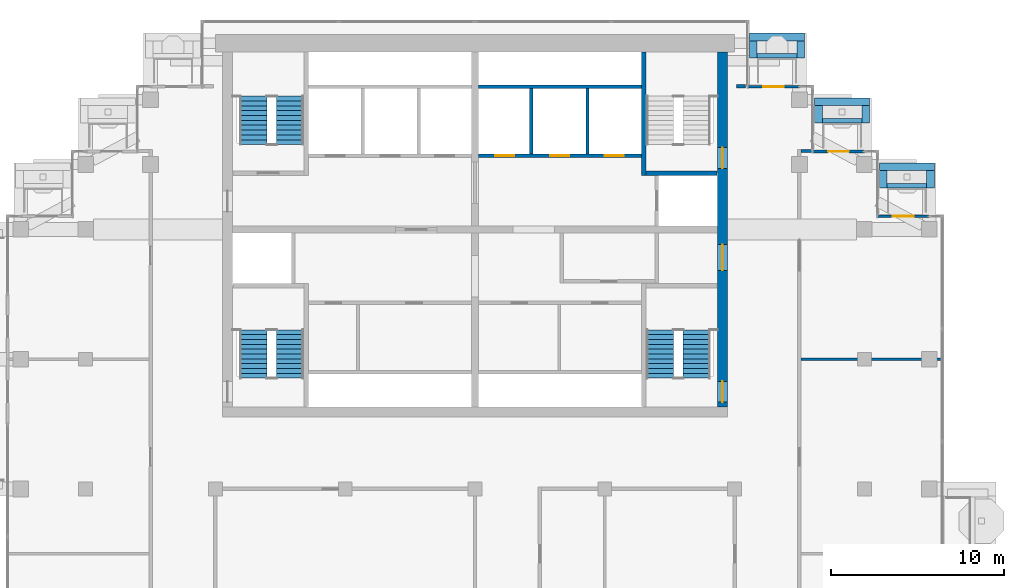
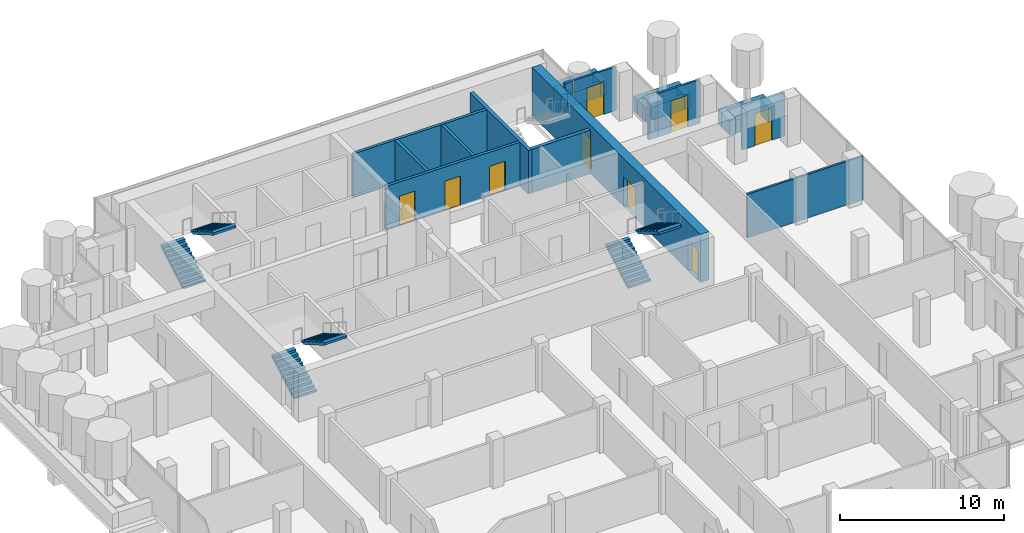
# One storey, part 14 of 18: 25 walls, 9 doors, 6 stair flights, 9 openings, 3 elements without a shape of their own.
"""IFC4 building model written with IfcOpenShell, lengths in metres."""

from ifc_helpers import new_model, si_unit, direction, frame, frame_2d, origin, place, context, subcontext, project, spatial, polyline, rectangle, outline, extrude, material, layer, layer_set, type_object, element, fill, aggregate, save


model = new_model("IFC4")

# Units and contexts
model_context = context("Model", 3, precision=1e-05, world=origin(), true_north=direction((0.0, 1.0)))
body_context = subcontext(model_context, "Body", "Model", "MODEL_VIEW")
ifc_project = project(units=[si_unit("LENGTHUNIT", "METRE"), si_unit("AREAUNIT", "SQUARE_METRE"), si_unit("VOLUMEUNIT", "CUBIC_METRE"), si_unit("PLANEANGLEUNIT", "RADIAN"), si_unit("MASSUNIT", "GRAM", prefix="KILO")], contexts=[model_context])

# Site, building, storey
site_placement = place(None, origin())
site = spatial("IfcSite", under=ifc_project, at=site_placement, CompositionType="ELEMENT")
building_placement = place(site_placement, origin())
building = spatial("IfcBuilding", under=site, at=building_placement, Name="Pilkhan Gate Tower", CompositionType="ELEMENT")
storey_placement = place(building_placement, frame((0.0, 0.0, 249.89990234375)))
storey = spatial("IfcBuildingStorey", under=building, at=storey_placement, Name="L65", CompositionType="ELEMENT", Elevation=249.89990234375)

# Walls
ifc_material_1 = material(Name="Concrete C40/50", Category="concrete")
ifc_layer_1 = layer(ifc_material_1, 0.25)
ifc_layer_set_1 = layer_set([ifc_layer_1], Name="Balcony planter BP250")
wall_type_1 = type_object("IfcWallType", Name="Balcony planter BP250", PredefinedType="USERDEFINED", material=ifc_layer_set_1)
wall_1_placement = place(storey_placement, frame((91.300048828125, 92.52490234375, 0.0), z_axis=(0.0, 0.0, 1.0), x_axis=(1.0, 0.0, 0.0)))
element("IfcWall", 1, at=wall_1_placement, inside=storey, type_object=wall_type_1, Name="Balcony planter L65 N", ObjectType="BALCONY PLANTER", PredefinedType="USERDEFINED", context=body_context, shape_type="SweptSolid", body=[
    extrude(rectangle(XDim=2.300048828125, YDim=0.25, at=frame_2d((1.14990234375, 0.0))), origin(), (0.0, 0.0, 1.0), 1.0),
])
for number, where, z_axis, x_axis, name in (
    (2, (95.070068359375, 88.77490234375, 0.0), (0.0, 0.0, 1.0), (1.0, 0.0, 0.0), "Balcony planter L65 N"),
    (3, (98.820068359375, 85.02490234375, 0.0), (0.0, 0.0, 1.0), (1.0, 0.0, 0.0), "Balcony planter L65 N"),
):
    element("IfcWall", number, at=place(storey_placement, frame(where, z_axis=z_axis, x_axis=x_axis)), inside=storey, type_object=wall_type_1, Name=name, ObjectType="BALCONY PLANTER", PredefinedType="USERDEFINED", context=body_context, shape_type="SweptSolid", body=[
        extrude(rectangle(XDim=2.280029296875, YDim=0.25, at=frame_2d((1.14013671875, 0.0))), origin(), (0.0, 0.0, 1.0), 1.0),
    ])
ifc_material_2 = material(Name="Board-marked Concrete C40/50", Category="concrete")
ifc_layer_2 = layer(ifc_material_2, 0.449951171875)
ifc_layer_set_2 = layer_set([ifc_layer_2], Name="Balcony planter lip BL450")
wall_type_2 = type_object("IfcWallType", Name="Balcony planter lip BL450", PredefinedType="USERDEFINED", material=ifc_layer_set_2)
wall_2_placement = place(storey_placement, frame((90.85009765625, 93.625, 0.0), z_axis=(0.0, 0.0, 1.0), x_axis=(1.0, 0.0, 0.0)))
element("IfcWall", 4, at=wall_2_placement, inside=storey, type_object=wall_type_2, Name="Balcony planter L65 N", ObjectType="BALCONY PLANTER", PredefinedType="USERDEFINED", context=body_context, shape_type="SweptSolid", body=[
    extrude(rectangle(XDim=3.199951171875, YDim=0.449951171875, at=frame_2d((1.60009765625, 0.0))), origin(), (0.0, 0.0, 1.0), 1.10009765625),
])
for number, where, z_axis, x_axis, name in (
    (5, (91.074951171875, 92.39990234375, 0.0), (0.0, 0.0, 1.0), (0.0, 1.0, 0.0), "Balcony planter L65 N"),
    (6, (93.824951171875, 92.39990234375, 0.0), (0.0, 0.0, 1.0), (0.0, 1.0, 0.0), "Balcony planter L65 N"),
):
    element("IfcWall", number, at=place(storey_placement, frame(where, z_axis=z_axis, x_axis=x_axis)), inside=storey, type_object=wall_type_2, Name=name, ObjectType="BALCONY PLANTER", PredefinedType="USERDEFINED", context=body_context, shape_type="SweptSolid", body=[
        extrude(rectangle(XDim=1.0, YDim=0.449951171875, at=frame_2d((0.5, 0.0))), origin(), (0.0, 0.0, 1.0), 1.10009765625),
    ])
wall_3_placement = place(storey_placement, frame((94.6201171875, 89.875, 0.0), z_axis=(0.0, 0.0, 1.0), x_axis=(1.0, 0.0, 0.0)))
element("IfcWall", 7, at=wall_3_placement, inside=storey, type_object=wall_type_2, Name="Balcony planter L65 N", ObjectType="BALCONY PLANTER", PredefinedType="USERDEFINED", context=body_context, shape_type="SweptSolid", body=[
    extrude(rectangle(XDim=3.179931640625, YDim=0.449951171875, at=frame_2d((1.58984375, 0.0))), origin(), (0.0, 0.0, 1.0), 1.10009765625),
])
for number, where, z_axis, x_axis, name in (
    (8, (94.844970703125, 88.64990234375, 0.0), (0.0, 0.0, 1.0), (0.0, 1.0, 0.0), "Balcony planter L65 N"),
    (9, (97.574951171875, 88.64990234375, 0.0), (0.0, 0.0, 1.0), (0.0, 1.0, 0.0), "Balcony planter L65 N"),
):
    element("IfcWall", number, at=place(storey_placement, frame(where, z_axis=z_axis, x_axis=x_axis)), inside=storey, type_object=wall_type_2, Name=name, ObjectType="BALCONY PLANTER", PredefinedType="USERDEFINED", context=body_context, shape_type="SweptSolid", body=[
        extrude(rectangle(XDim=1.0, YDim=0.449951171875, at=frame_2d((0.5, 0.0))), origin(), (0.0, 0.0, 1.0), 1.10009765625),
    ])
wall_4_placement = place(storey_placement, frame((98.3701171875, 86.125, 0.0), z_axis=(0.0, 0.0, 1.0), x_axis=(1.0, 0.0, 0.0)))
element("IfcWall", 10, at=wall_4_placement, inside=storey, type_object=wall_type_2, Name="Balcony planter L65 N", ObjectType="BALCONY PLANTER", PredefinedType="USERDEFINED", context=body_context, shape_type="SweptSolid", body=[
    extrude(rectangle(XDim=3.179931640625, YDim=0.449951171875, at=frame_2d((1.58984375, 0.0))), origin(), (0.0, 0.0, 1.0), 1.10009765625),
])
for number, where, z_axis, x_axis, name in (
    (11, (98.594970703125, 84.89990234375, 0.0), (0.0, 0.0, 1.0), (0.0, 1.0, 0.0), "Balcony planter L65 N"),
    (12, (101.324951171875, 84.89990234375, 0.0), (0.0, 0.0, 1.0), (0.0, 1.0, 0.0), "Balcony planter L65 N"),
):
    element("IfcWall", number, at=place(storey_placement, frame(where, z_axis=z_axis, x_axis=x_axis)), inside=storey, type_object=wall_type_2, Name=name, ObjectType="BALCONY PLANTER", PredefinedType="USERDEFINED", context=body_context, shape_type="SweptSolid", body=[
        extrude(rectangle(XDim=1.0, YDim=0.449951171875, at=frame_2d((0.5, 0.0))), origin(), (0.0, 0.0, 1.0), 1.10009765625),
    ])

# Wall, openings, doors
ifc_material_3 = material(Name="Concrete C50/60", Category="concrete")
ifc_layer_3 = layer(ifc_material_3, 0.60009765625)
ifc_layer_set_3 = layer_set([ifc_layer_3], Name="Core wall CW600 C50/60")
wall_type_3 = type_object("IfcWallType", Name="Core wall CW600 C50/60", PredefinedType="SHEAR", material=ifc_layer_set_3)
wall_5_placement = place(storey_placement, frame((89.300048828125, 72.25, 0.0), z_axis=(0.0, 0.0, 1.0), x_axis=(0.0, 1.0, 0.0)))
wall_5 = element("IfcWall", 13, at=wall_5_placement, inside=storey, type_object=wall_type_3, Name="Core wall E L65", PredefinedType="SHEAR", context=body_context, shape_type="SweptSolid", body=[
    extrude(rectangle(XDim=20.5, YDim=0.60009765625, at=frame_2d((10.25, 0.0))), origin(), (0.0, 0.0, 1.0), 3.60009765625),
])
opening_1_placement = place(wall_5_placement, frame((0.27490234375, 0.0, 0.0)))
opening_1 = element("IfcOpeningElement", 14, at=opening_1_placement, cuts=wall_5, Name="Opening L65-03", PredefinedType="OPENING", context=body_context, shape_type="SweptSolid", body=[
    extrude(rectangle(XDim=1.199951171875, YDim=2.199951171875, at=frame_2d((0.60009765625, 1.10009765625))), frame((0.0, 0.31005859375, 0.0), z_axis=(0.0, -1.0, 0.0), x_axis=(1.0, 0.0, 0.0)), (0.0, 0.0, 1.0), 0.6201171875),
])
opening_2_placement = place(wall_5_placement, frame((13.77490234375, 0.0, 0.0)))
opening_2 = element("IfcOpeningElement", 15, at=opening_2_placement, cuts=wall_5, Name="Opening L65-05", PredefinedType="OPENING", context=body_context, shape_type="SweptSolid", body=[
    extrude(rectangle(XDim=1.199951171875, YDim=2.199951171875, at=frame_2d((0.60009765625, 1.10009765625))), frame((0.0, 0.31005859375, 0.0), z_axis=(0.0, -1.0, 0.0), x_axis=(1.0, 0.0, 0.0)), (0.0, 0.0, 1.0), 0.6201171875),
])
opening_3_placement = place(wall_5_placement, frame((7.875, 0.0, 0.0)))
opening_3 = element("IfcOpeningElement", 16, at=opening_3_placement, cuts=wall_5, Name="Opening L65-06", PredefinedType="OPENING", context=body_context, shape_type="SweptSolid", body=[
    extrude(rectangle(XDim=1.5, YDim=2.199951171875, at=frame_2d((0.75, 1.10009765625))), frame((0.0, 0.31005859375, 0.0), z_axis=(0.0, -1.0, 0.0), x_axis=(1.0, 0.0, 0.0)), (0.0, 0.0, 1.0), 0.6201171875),
])
ifc_material_4 = material(Name="Steel framed glazed door, 60 minute fire resisting", Category="steel")
door_type_1 = type_object("IfcDoorType", Name="Lobby door D09 1500x2200", OperationType="DOUBLE_DOOR_SINGLE_SWING", PredefinedType="DOOR", material=ifc_material_4)
door_1_placement = place(opening_3_placement, origin())
door_1 = element("IfcDoor", 17, at=door_1_placement, inside=storey, type_object=door_type_1, Name="Core door", OperationType="DOUBLE_DOOR_SINGLE_SWING", OverallHeight=2.199951171875, OverallWidth=1.5, PredefinedType="DOOR", context=body_context, shape_type="SweptSolid", body=[
    extrude(rectangle(XDim=1.5, YDim=2.199951171875, at=frame_2d((0.75, 1.10009765625))), frame((0.0, 0.02490234375, 0.0), z_axis=(0.0, -1.0, 0.0), x_axis=(1.0, 0.0, 0.0)), (0.0, 0.0, 1.0), 0.050048828125),
])
fill(opening_3, door_1)
ifc_material_5 = material(Name="Steel door, 120 minute fire resisting, panic bar", Category="steel")
door_type_2 = type_object("IfcDoorType", Name="Stair door D11 1200x2200", OperationType="SINGLE_SWING_LEFT", PredefinedType="DOOR", material=ifc_material_5)
door_2_placement = place(opening_1_placement, origin())
door_2 = element("IfcDoor", 18, at=door_2_placement, inside=storey, type_object=door_type_2, Name="Stair ST1 door", OperationType="SINGLE_SWING_RIGHT", OverallHeight=2.199951171875, OverallWidth=1.199951171875, PredefinedType="DOOR", context=body_context, shape_type="SweptSolid", body=[
    extrude(rectangle(XDim=1.199951171875, YDim=2.199951171875, at=frame_2d((0.60009765625, 1.10009765625))), frame((0.0, 0.02490234375, 0.0), z_axis=(0.0, -1.0, 0.0), x_axis=(1.0, 0.0, 0.0)), (0.0, 0.0, 1.0), 0.050048828125),
])
fill(opening_1, door_2)
door_3_placement = place(opening_2_placement, origin())
door_3 = element("IfcDoor", 19, at=door_3_placement, inside=storey, type_object=door_type_2, Name="Stair ST4 door", OperationType="SINGLE_SWING_LEFT", OverallHeight=2.199951171875, OverallWidth=1.199951171875, PredefinedType="DOOR", context=body_context, shape_type="SweptSolid", body=[
    extrude(rectangle(XDim=1.199951171875, YDim=2.199951171875, at=frame_2d((0.60009765625, 1.10009765625))), frame((0.0, 0.02490234375, 0.0), z_axis=(0.0, -1.0, 0.0), x_axis=(1.0, 0.0, 0.0)), (0.0, 0.0, 1.0), 0.050048828125),
])
fill(opening_2, door_3)

# Walls
ifc_material_6 = material(Name="Dense blockwork", Category="masonry")
ifc_layer_4 = layer(ifc_material_6, 0.199951171875)
ifc_layer_set_4 = layer_set([ifc_layer_4], Name="Corridor wall FW200")
wall_type_4 = type_object("IfcWallType", Name="Corridor wall FW200", PredefinedType="PARTITIONING", material=ifc_layer_set_4)
wall_6_placement = place(storey_placement, frame((93.85009765625, 87.030029296875, 0.0), z_axis=(0.0, 0.0, 1.0), x_axis=(1.0, 0.0, 0.0)))
element("IfcWall", 20, at=wall_6_placement, inside=storey, type_object=wall_type_4, Name="Partition L65", PredefinedType="PARTITIONING", context=body_context, shape_type="SweptSolid", body=[
    extrude(rectangle(XDim=0.639892578125, YDim=0.199951171875, at=frame_2d((0.31982421875, 0.0))), origin(), (0.0, 0.0, 1.0), 3.25),
])
wall_7_placement = place(storey_placement, frame((90.1201171875, 90.764892578125, 0.0), z_axis=(0.0, 0.0, 1.0), x_axis=(1.0, 0.0, 0.0)))
element("IfcWall", 21, at=wall_7_placement, inside=storey, type_object=wall_type_4, Name="Partition L65", PredefinedType="PARTITIONING", context=body_context, shape_type="SweptSolid", body=[
    extrude(rectangle(XDim=0.52490234375, YDim=0.199951171875, at=frame_2d((0.262451171875, 0.0))), origin(), (0.0, 0.0, 1.0), 3.25),
])

# Wall, opening, door
ifc_material_7 = material(Name="Pale anodised aluminium, clear laminated glazing", Category="aluminium")
ifc_layer_5 = layer(ifc_material_7, 0.14990234375)
ifc_layer_set_5 = layer_set([ifc_layer_5], Name="Facade infill wall IW150")
wall_type_5 = type_object("IfcWallType", Name="Facade infill wall IW150", PredefinedType="SOLIDWALL", material=ifc_layer_set_5)
wall_8_placement = place(storey_placement, frame((98.25, 83.25, 0.0), z_axis=(0.0, 0.0, 1.0), x_axis=(1.0, 0.0, 0.0)))
wall_8 = element("IfcWall", 22, at=wall_8_placement, inside=storey, type_object=wall_type_5, Name="Infill wall L65 N", PredefinedType="SOLIDWALL", context=body_context, shape_type="SweptSolid", body=[
    extrude(rectangle(XDim=3.0, YDim=0.14990234375, at=frame_2d((1.5, 0.0))), origin(), (0.0, 0.0, 1.0), 3.25),
])
opening_4_placement = place(wall_8_placement, frame((0.89990234375, 0.0, 0.0)))
opening_4 = element("IfcOpeningElement", 23, at=opening_4_placement, cuts=wall_8, Name="Opening D1", PredefinedType="OPENING", context=body_context, shape_type="SweptSolid", body=[
    extrude(rectangle(XDim=1.199951171875, YDim=2.39990234375, at=frame_2d((0.60009765625, 1.199951171875))), frame((0.0, 0.0849609375, 0.0), z_axis=(0.0, -1.0, 0.0), x_axis=(1.0, 0.0, 0.0)), (0.0, 0.0, 1.0), 0.169921875),
])
ifc_material_8 = material(Name="Pale anodised aluminium, clear glazing", Category="aluminium")
door_type_3 = type_object("IfcDoorType", Name="Balcony door D1 1200x2400", OperationType="SINGLE_SWING_LEFT", PredefinedType="DOOR", material=ifc_material_8)
door_4_placement = place(opening_4_placement, origin())
door_4 = element("IfcDoor", 24, at=door_4_placement, inside=storey, type_object=door_type_3, Name="Balcony door L65", OperationType="SINGLE_SWING_LEFT", OverallHeight=2.39990234375, OverallWidth=1.199951171875, PredefinedType="DOOR", context=body_context, shape_type="SweptSolid", body=[
    extrude(rectangle(XDim=1.199951171875, YDim=2.39990234375, at=frame_2d((0.60009765625, 1.199951171875))), frame((0.0, 0.02490234375, 0.0), z_axis=(0.0, -1.0, 0.0), x_axis=(1.0, 0.0, 0.0)), (0.0, 0.0, 1.0), 0.050048828125),
])
fill(opening_4, door_4)

wall_9_placement = place(storey_placement, frame((94.5, 87.0, 0.0), z_axis=(0.0, 0.0, 1.0), x_axis=(1.0, 0.0, 0.0)))
wall_9 = element("IfcWall", 25, at=wall_9_placement, inside=storey, type_object=wall_type_5, Name="Infill wall L65 N", PredefinedType="SOLIDWALL", context=body_context, shape_type="SweptSolid", body=[
    extrude(rectangle(XDim=3.0, YDim=0.14990234375, at=frame_2d((1.5, 0.0))), origin(), (0.0, 0.0, 1.0), 3.25),
])
opening_5_placement = place(wall_9_placement, frame((0.89990234375, 0.0, 0.0)))
opening_5 = element("IfcOpeningElement", 26, at=opening_5_placement, cuts=wall_9, Name="Opening D1", PredefinedType="OPENING", context=body_context, shape_type="SweptSolid", body=[
    extrude(rectangle(XDim=1.199951171875, YDim=2.39990234375, at=frame_2d((0.60009765625, 1.199951171875))), frame((0.0, 0.0849609375, 0.0), z_axis=(0.0, -1.0, 0.0), x_axis=(1.0, 0.0, 0.0)), (0.0, 0.0, 1.0), 0.169921875),
])
door_5_placement = place(opening_5_placement, origin())
door_5 = element("IfcDoor", 27, at=door_5_placement, inside=storey, type_object=door_type_3, Name="Balcony door L65", OperationType="SINGLE_SWING_LEFT", OverallHeight=2.39990234375, OverallWidth=1.199951171875, PredefinedType="DOOR", context=body_context, shape_type="SweptSolid", body=[
    extrude(rectangle(XDim=1.199951171875, YDim=2.39990234375, at=frame_2d((0.60009765625, 1.199951171875))), frame((0.0, 0.02490234375, 0.0), z_axis=(0.0, -1.0, 0.0), x_axis=(1.0, 0.0, 0.0)), (0.0, 0.0, 1.0), 0.050048828125),
])
fill(opening_5, door_5)

wall_10_placement = place(storey_placement, frame((90.75, 90.75, 0.0), z_axis=(0.0, 0.0, 1.0), x_axis=(1.0, 0.0, 0.0)))
wall_10 = element("IfcWall", 28, at=wall_10_placement, inside=storey, type_object=wall_type_5, Name="Infill wall L65 N", PredefinedType="SOLIDWALL", context=body_context, shape_type="SweptSolid", body=[
    extrude(rectangle(XDim=3.0, YDim=0.14990234375, at=frame_2d((1.5, 0.0))), origin(), (0.0, 0.0, 1.0), 3.25),
])
opening_6_placement = place(wall_10_placement, frame((0.89990234375, 0.0, 0.0)))
opening_6 = element("IfcOpeningElement", 29, at=opening_6_placement, cuts=wall_10, Name="Opening D1", PredefinedType="OPENING", context=body_context, shape_type="SweptSolid", body=[
    extrude(rectangle(XDim=1.199951171875, YDim=2.39990234375, at=frame_2d((0.60009765625, 1.199951171875))), frame((0.0, 0.0849609375, 0.0), z_axis=(0.0, -1.0, 0.0), x_axis=(1.0, 0.0, 0.0)), (0.0, 0.0, 1.0), 0.169921875),
])
door_6_placement = place(opening_6_placement, origin())
door_6 = element("IfcDoor", 30, at=door_6_placement, inside=storey, type_object=door_type_3, Name="Balcony door L65", OperationType="SINGLE_SWING_LEFT", OverallHeight=2.39990234375, OverallWidth=1.199951171875, PredefinedType="DOOR", context=body_context, shape_type="SweptSolid", body=[
    extrude(rectangle(XDim=1.199951171875, YDim=2.39990234375, at=frame_2d((0.60009765625, 1.199951171875))), frame((0.0, 0.02490234375, 0.0), z_axis=(0.0, -1.0, 0.0), x_axis=(1.0, 0.0, 0.0)), (0.0, 0.0, 1.0), 0.050048828125),
])
fill(opening_6, door_6)

# Wall
ifc_material_9 = material(Name="Blockwork partition, plastered both sides", Category="masonry")
ifc_layer_6 = layer(ifc_material_9, 0.14990234375)
ifc_layer_set_6 = layer_set([ifc_layer_6], Name="Partition PW150")
wall_type_6 = type_object("IfcWallType", Name="Partition PW150", PredefinedType="PARTITIONING", material=ifc_layer_set_6)
wall_11_placement = place(storey_placement, frame((93.85009765625, 75.0, 0.0), z_axis=(0.0, 0.0, 1.0), x_axis=(1.0, 0.0, 0.0)))
element("IfcWall", 31, at=wall_11_placement, inside=storey, type_object=wall_type_6, Name="Partition L65", PredefinedType="PARTITIONING", context=body_context, shape_type="SweptSolid", body=[
    extrude(rectangle(XDim=8.164794921875, YDim=0.14990234375, at=frame_2d((4.08251953125, 0.0))), origin(), (0.0, 0.0, 1.0), 3.25),
])

# Wall, openings, doors
ifc_material_10 = material(Name="Reinforced blockwork shaft wall, 120 minute fire resisting", Category="masonry")
ifc_layer_7 = layer(ifc_material_10, 0.199951171875)
ifc_layer_set_7 = layer_set([ifc_layer_7], Name="Shaft wall SW200")
wall_type_7 = type_object("IfcWallType", Name="Shaft wall SW200", PredefinedType="PARTITIONING", material=ifc_layer_set_7)
wall_12_placement = place(storey_placement, frame((75.2099609375, 86.75, 0.0), z_axis=(0.0, 0.0, 1.0), x_axis=(1.0, 0.0, 0.0)))
wall_12 = element("IfcWall", 32, at=wall_12_placement, inside=storey, type_object=wall_type_7, Name="Partition L65", PredefinedType="PARTITIONING", context=body_context, shape_type="SweptSolid", body=[
    extrude(rectangle(XDim=9.4150390625, YDim=0.199951171875, at=frame_2d((4.70751953125, 0.0))), origin(), (0.0, 0.0, 1.0), 3.25),
])
opening_7_placement = place(wall_12_placement, frame((0.949951171875, 0.0, 0.0)))
opening_7 = element("IfcOpeningElement", 33, at=opening_7_placement, cuts=wall_12, Name="Opening LD", PredefinedType="OPENING", context=body_context, shape_type="SweptSolid", body=[
    extrude(rectangle(XDim=1.10009765625, YDim=2.199951171875, at=frame_2d((0.550048828125, 1.10009765625))), frame((0.0, 0.10986328125, 0.0), z_axis=(0.0, -1.0, 0.0), x_axis=(1.0, 0.0, 0.0)), (0.0, 0.0, 1.0), 0.219970703125),
])
opening_8_placement = place(wall_12_placement, frame((4.139892578125, 0.0, 0.0)))
opening_8 = element("IfcOpeningElement", 34, at=opening_8_placement, cuts=wall_12, Name="Opening LD", PredefinedType="OPENING", context=body_context, shape_type="SweptSolid", body=[
    extrude(rectangle(XDim=1.10009765625, YDim=2.199951171875, at=frame_2d((0.550048828125, 1.10009765625))), frame((0.0, 0.10986328125, 0.0), z_axis=(0.0, -1.0, 0.0), x_axis=(1.0, 0.0, 0.0)), (0.0, 0.0, 1.0), 0.219970703125),
])
opening_9_placement = place(wall_12_placement, frame((7.2900390625, 0.0, 0.0)))
opening_9 = element("IfcOpeningElement", 35, at=opening_9_placement, cuts=wall_12, Name="Opening LD", PredefinedType="OPENING", context=body_context, shape_type="SweptSolid", body=[
    extrude(rectangle(XDim=1.10009765625, YDim=2.199951171875, at=frame_2d((0.550048828125, 1.10009765625))), frame((0.0, 0.10986328125, 0.0), z_axis=(0.0, -1.0, 0.0), x_axis=(1.0, 0.0, 0.0)), (0.0, 0.0, 1.0), 0.219970703125),
])
ifc_material_11 = material(Name="Stainless steel centre-opening landing door, 120 minute fire resisting", Category="steel")
door_type_4 = type_object("IfcDoorType", Name="Lift landing door LD 1100x2200", OperationType="DOUBLE_DOOR_SLIDING", PredefinedType="DOOR", material=ifc_material_11)
door_7_placement = place(opening_7_placement, origin())
door_7 = element("IfcDoor", 36, at=door_7_placement, inside=storey, type_object=door_type_4, Name="Landing door HR1", OperationType="DOUBLE_DOOR_SLIDING", OverallHeight=2.199951171875, OverallWidth=1.10009765625, PredefinedType="DOOR", context=body_context, shape_type="SweptSolid", body=[
    extrude(rectangle(XDim=1.10009765625, YDim=2.199951171875, at=frame_2d((0.550048828125, 1.10009765625))), frame((0.0, 0.02490234375, 0.0), z_axis=(0.0, -1.0, 0.0), x_axis=(1.0, 0.0, 0.0)), (0.0, 0.0, 1.0), 0.050048828125),
])
fill(opening_7, door_7)
door_8_placement = place(opening_8_placement, origin())
door_8 = element("IfcDoor", 37, at=door_8_placement, inside=storey, type_object=door_type_4, Name="Landing door HR2", OperationType="DOUBLE_DOOR_SLIDING", OverallHeight=2.199951171875, OverallWidth=1.10009765625, PredefinedType="DOOR", context=body_context, shape_type="SweptSolid", body=[
    extrude(rectangle(XDim=1.10009765625, YDim=2.199951171875, at=frame_2d((0.550048828125, 1.10009765625))), frame((0.0, 0.02490234375, 0.0), z_axis=(0.0, -1.0, 0.0), x_axis=(1.0, 0.0, 0.0)), (0.0, 0.0, 1.0), 0.050048828125),
])
fill(opening_8, door_8)
door_9_placement = place(opening_9_placement, origin())
door_9 = element("IfcDoor", 38, at=door_9_placement, inside=storey, type_object=door_type_4, Name="Landing door HR3", OperationType="DOUBLE_DOOR_SLIDING", OverallHeight=2.199951171875, OverallWidth=1.10009765625, PredefinedType="DOOR", context=body_context, shape_type="SweptSolid", body=[
    extrude(rectangle(XDim=1.10009765625, YDim=2.199951171875, at=frame_2d((0.550048828125, 1.10009765625))), frame((0.0, 0.02490234375, 0.0), z_axis=(0.0, -1.0, 0.0), x_axis=(1.0, 0.0, 0.0)), (0.0, 0.0, 1.0), 0.050048828125),
])
fill(opening_9, door_9)

# Walls
wall_13_placement = place(storey_placement, frame((75.2099609375, 90.75, 0.0), z_axis=(0.0, 0.0, 1.0), x_axis=(1.0, 0.0, 0.0)))
element("IfcWall", 39, at=wall_13_placement, inside=storey, type_object=wall_type_7, Name="Partition L65", PredefinedType="PARTITIONING", context=body_context, shape_type="SweptSolid", body=[
    extrude(rectangle(XDim=9.4150390625, YDim=0.199951171875, at=frame_2d((4.70751953125, 0.0))), origin(), (0.0, 0.0, 1.0), 3.25),
])
for number, where, z_axis, x_axis, name in (
    (40, (78.25, 86.85009765625, 0.0), (0.0, 0.0, 1.0), (0.0, 1.0, 0.0), "Partition L65"),
    (41, (81.5, 86.85009765625, 0.0), (0.0, 0.0, 1.0), (0.0, 1.0, 0.0), "Partition L65"),
):
    element("IfcWall", number, at=place(storey_placement, frame(where, z_axis=z_axis, x_axis=x_axis)), inside=storey, type_object=wall_type_7, Name=name, PredefinedType="PARTITIONING", context=body_context, shape_type="SweptSolid", body=[
        extrude(rectangle(XDim=3.7998046875, YDim=0.199951171875, at=frame_2d((1.89990234375, 0.0))), origin(), (0.0, 0.0, 1.0), 3.25),
    ])
ifc_material_12 = material(Name="Reinforced blockwork, 120 minute fire resisting", Category="masonry")
ifc_layer_8 = layer(ifc_material_12, 0.25)
ifc_layer_set_8 = layer_set([ifc_layer_8], Name="Stair enclosure wall SE250")
wall_type_8 = type_object("IfcWallType", Name="Stair enclosure wall SE250", PredefinedType="PARTITIONING", material=ifc_layer_set_8)
wall_14_placement = place(storey_placement, frame((84.875, 85.75, 0.0), z_axis=(0.0, 0.0, 1.0), x_axis=(1.0, 0.0, 0.0)))
element("IfcWall", 42, at=wall_14_placement, inside=storey, type_object=wall_type_8, Name="Partition L65", PredefinedType="PARTITIONING", context=body_context, shape_type="SweptSolid", body=[
    extrude(rectangle(XDim=4.114990234375, YDim=0.25, at=frame_2d((2.0576171875, 0.0))), origin(), (0.0, 0.0, 1.0), 3.25),
])
wall_15_placement = place(storey_placement, frame((84.75, 85.625, 0.0), z_axis=(0.0, 0.0, 1.0), x_axis=(0.0, 1.0, 0.0)))
element("IfcWall", 43, at=wall_15_placement, inside=storey, type_object=wall_type_8, Name="Partition L65", PredefinedType="PARTITIONING", context=body_context, shape_type="SweptSolid", body=[
    extrude(rectangle(XDim=7.114990234375, YDim=0.25, at=frame_2d((3.5576171875, 0.0))), origin(), (0.0, 0.0, 1.0), 3.25),
])

# Stair, stair flights
ifc_material_13 = material(Name="Concrete C40/50 precast", Category="concrete")
stair_type_1 = type_object("IfcStairType", Name="Stair ST1 164x280", PredefinedType="HALF_TURN_STAIR", material=ifc_material_13)
stair_1_placement = place(storey_placement, origin())
stair_1 = element("IfcStair", 44, at=stair_1_placement, inside=storey, type_object=stair_type_1, Name="Stair ST1 L65", PredefinedType="HALF_TURN_STAIR")
stair_flight_type_1 = type_object("IfcStairFlightType", Name="Stair flight ST1 164x280x11", PredefinedType="STRAIGHT", material=ifc_material_13)
stair_flight_1_placement = place(storey_placement, frame((85.68994140625, 73.89990234375, 0.0), z_axis=(0.0, 0.0, 1.0), x_axis=(0.0, 1.0, 0.0)))
stair_flight_1 = element("IfcStairFlight", 45, at=stair_flight_1_placement, type_object=stair_flight_type_1, Name="ST1 flight 1", NumberOfRisers=11, NumberOfTreads=10, PredefinedType="STRAIGHT", RiserHeight=0.163636364, TreadLength=0.28, context=body_context, shape_type="SweptSolid", body=[
    extrude(outline(polyline([(0.0, 0.0), (0.0, 0.16357421875), (0.280029296875, 0.16357421875), (0.280029296875, 0.327392578125), (0.56005859375, 0.327392578125), (0.56005859375, 0.490966796875), (0.840087890625, 0.490966796875), (0.840087890625, 0.654541015625), (1.1201171875, 0.654541015625), (1.1201171875, 0.818115234375), (1.39990234375, 0.818115234375), (1.39990234375, 0.98193359375), (1.679931640625, 0.98193359375), (1.679931640625, 1.1455078125), (1.9599609375, 1.1455078125), (1.9599609375, 1.30908203125), (2.239990234375, 1.30908203125), (2.239990234375, 1.47265625), (2.52001953125, 1.47265625), (2.52001953125, 1.636474609375), (2.800048828125, 1.636474609375), (2.800048828125, 1.800048828125), (2.800048828125, 1.462646484375), (0.297119140625, 0.0), (0.0, 0.0)])), frame((0.0, 0.7900390625, 0.0), z_axis=(0.0, -1.0, 0.0), x_axis=(1.0, 0.0, 0.0)), (0.0, 0.0, 1.0), 1.580078125),
])
stair_flight_2_placement = place(storey_placement, frame((87.81005859375, 76.699951171875, 1.800048828125), z_axis=(0.0, 0.0, 1.0), x_axis=(0.0, -1.0, 0.0)))
stair_flight_2 = element("IfcStairFlight", 46, at=stair_flight_2_placement, type_object=stair_flight_type_1, Name="ST1 flight 2", NumberOfRisers=11, NumberOfTreads=10, PredefinedType="STRAIGHT", RiserHeight=0.163636364, TreadLength=0.28, context=body_context, shape_type="SweptSolid", body=[
    extrude(outline(polyline([(0.0, 0.0), (0.0, 0.16357421875), (0.280029296875, 0.16357421875), (0.280029296875, 0.327392578125), (0.56005859375, 0.327392578125), (0.56005859375, 0.490966796875), (0.840087890625, 0.490966796875), (0.840087890625, 0.654541015625), (1.1201171875, 0.654541015625), (1.1201171875, 0.818115234375), (1.39990234375, 0.818115234375), (1.39990234375, 0.98193359375), (1.679931640625, 0.98193359375), (1.679931640625, 1.1455078125), (1.9599609375, 1.1455078125), (1.9599609375, 1.30908203125), (2.239990234375, 1.30908203125), (2.239990234375, 1.47265625), (2.52001953125, 1.47265625), (2.52001953125, 1.636474609375), (2.800048828125, 1.636474609375), (2.800048828125, 1.800048828125), (2.800048828125, 1.462646484375), (0.297119140625, 0.0), (0.0, 0.0)])), frame((0.0, 0.7900390625, 0.0), z_axis=(0.0, -1.0, 0.0), x_axis=(1.0, 0.0, 0.0)), (0.0, 0.0, 1.0), 1.580078125),
])
aggregate(stair_1, [stair_flight_1, stair_flight_2])

stair_type_2 = type_object("IfcStairType", Name="Stair ST2 164x280", PredefinedType="HALF_TURN_STAIR", material=ifc_material_13)
stair_2_placement = place(storey_placement, origin())
stair_2 = element("IfcStair", 47, at=stair_2_placement, inside=storey, type_object=stair_type_2, Name="Stair ST2 L65", PredefinedType="HALF_TURN_STAIR")
stair_flight_type_2 = type_object("IfcStairFlightType", Name="Stair flight ST2 164x280x11", PredefinedType="STRAIGHT", material=ifc_material_13)
stair_flight_3_placement = place(storey_placement, frame((62.18994140625, 73.89990234375, 0.0), z_axis=(0.0, 0.0, 1.0), x_axis=(0.0, 1.0, 0.0)))
stair_flight_3 = element("IfcStairFlight", 48, at=stair_flight_3_placement, type_object=stair_flight_type_2, Name="ST2 flight 1", NumberOfRisers=11, NumberOfTreads=10, PredefinedType="STRAIGHT", RiserHeight=0.163636364, TreadLength=0.28, context=body_context, shape_type="SweptSolid", body=[
    extrude(outline(polyline([(0.0, 0.0), (0.0, 0.16357421875), (0.280029296875, 0.16357421875), (0.280029296875, 0.327392578125), (0.56005859375, 0.327392578125), (0.56005859375, 0.490966796875), (0.840087890625, 0.490966796875), (0.840087890625, 0.654541015625), (1.1201171875, 0.654541015625), (1.1201171875, 0.818115234375), (1.39990234375, 0.818115234375), (1.39990234375, 0.98193359375), (1.679931640625, 0.98193359375), (1.679931640625, 1.1455078125), (1.9599609375, 1.1455078125), (1.9599609375, 1.30908203125), (2.239990234375, 1.30908203125), (2.239990234375, 1.47265625), (2.52001953125, 1.47265625), (2.52001953125, 1.636474609375), (2.800048828125, 1.636474609375), (2.800048828125, 1.800048828125), (2.800048828125, 1.462646484375), (0.297119140625, 0.0), (0.0, 0.0)])), frame((0.0, 0.7900390625, 0.0), z_axis=(0.0, -1.0, 0.0), x_axis=(1.0, 0.0, 0.0)), (0.0, 0.0, 1.0), 1.580078125),
])
stair_flight_4_placement = place(storey_placement, frame((64.31005859375, 76.699951171875, 1.800048828125), z_axis=(0.0, 0.0, 1.0), x_axis=(0.0, -1.0, 0.0)))
stair_flight_4 = element("IfcStairFlight", 49, at=stair_flight_4_placement, type_object=stair_flight_type_2, Name="ST2 flight 2", NumberOfRisers=11, NumberOfTreads=10, PredefinedType="STRAIGHT", RiserHeight=0.163636364, TreadLength=0.28, context=body_context, shape_type="SweptSolid", body=[
    extrude(outline(polyline([(0.0, 0.0), (0.0, 0.16357421875), (0.280029296875, 0.16357421875), (0.280029296875, 0.327392578125), (0.56005859375, 0.327392578125), (0.56005859375, 0.490966796875), (0.840087890625, 0.490966796875), (0.840087890625, 0.654541015625), (1.1201171875, 0.654541015625), (1.1201171875, 0.818115234375), (1.39990234375, 0.818115234375), (1.39990234375, 0.98193359375), (1.679931640625, 0.98193359375), (1.679931640625, 1.1455078125), (1.9599609375, 1.1455078125), (1.9599609375, 1.30908203125), (2.239990234375, 1.30908203125), (2.239990234375, 1.47265625), (2.52001953125, 1.47265625), (2.52001953125, 1.636474609375), (2.800048828125, 1.636474609375), (2.800048828125, 1.800048828125), (2.800048828125, 1.462646484375), (0.297119140625, 0.0), (0.0, 0.0)])), frame((0.0, 0.7900390625, 0.0), z_axis=(0.0, -1.0, 0.0), x_axis=(1.0, 0.0, 0.0)), (0.0, 0.0, 1.0), 1.580078125),
])
aggregate(stair_2, [stair_flight_3, stair_flight_4])

stair_type_3 = type_object("IfcStairType", Name="Stair ST3 164x280", PredefinedType="HALF_TURN_STAIR", material=ifc_material_13)
stair_3_placement = place(storey_placement, origin())
stair_3 = element("IfcStair", 50, at=stair_3_placement, inside=storey, type_object=stair_type_3, Name="Stair ST3 L65", PredefinedType="HALF_TURN_STAIR")
stair_flight_type_3 = type_object("IfcStairFlightType", Name="Stair flight ST3 164x280x11", PredefinedType="STRAIGHT", material=ifc_material_13)
stair_flight_5_placement = place(storey_placement, frame((62.18994140625, 87.39990234375, 0.0), z_axis=(0.0, 0.0, 1.0), x_axis=(0.0, 1.0, 0.0)))
stair_flight_5 = element("IfcStairFlight", 51, at=stair_flight_5_placement, type_object=stair_flight_type_3, Name="ST3 flight 1", NumberOfRisers=11, NumberOfTreads=10, PredefinedType="STRAIGHT", RiserHeight=0.163636364, TreadLength=0.28, context=body_context, shape_type="SweptSolid", body=[
    extrude(outline(polyline([(0.0, 0.0), (0.0, 0.16357421875), (0.280029296875, 0.16357421875), (0.280029296875, 0.327392578125), (0.56005859375, 0.327392578125), (0.56005859375, 0.490966796875), (0.840087890625, 0.490966796875), (0.840087890625, 0.654541015625), (1.1201171875, 0.654541015625), (1.1201171875, 0.818115234375), (1.39990234375, 0.818115234375), (1.39990234375, 0.98193359375), (1.679931640625, 0.98193359375), (1.679931640625, 1.1455078125), (1.9599609375, 1.1455078125), (1.9599609375, 1.30908203125), (2.239990234375, 1.30908203125), (2.239990234375, 1.47265625), (2.52001953125, 1.47265625), (2.52001953125, 1.636474609375), (2.800048828125, 1.636474609375), (2.800048828125, 1.800048828125), (2.800048828125, 1.462646484375), (0.297119140625, 0.0), (0.0, 0.0)])), frame((0.0, 0.7900390625, 0.0), z_axis=(0.0, -1.0, 0.0), x_axis=(1.0, 0.0, 0.0)), (0.0, 0.0, 1.0), 1.580078125),
])
stair_flight_6_placement = place(storey_placement, frame((64.31005859375, 90.199951171875, 1.800048828125), z_axis=(0.0, 0.0, 1.0), x_axis=(0.0, -1.0, 0.0)))
stair_flight_6 = element("IfcStairFlight", 52, at=stair_flight_6_placement, type_object=stair_flight_type_3, Name="ST3 flight 2", NumberOfRisers=11, NumberOfTreads=10, PredefinedType="STRAIGHT", RiserHeight=0.163636364, TreadLength=0.28, context=body_context, shape_type="SweptSolid", body=[
    extrude(outline(polyline([(0.0, 0.0), (0.0, 0.16357421875), (0.280029296875, 0.16357421875), (0.280029296875, 0.327392578125), (0.56005859375, 0.327392578125), (0.56005859375, 0.490966796875), (0.840087890625, 0.490966796875), (0.840087890625, 0.654541015625), (1.1201171875, 0.654541015625), (1.1201171875, 0.818115234375), (1.39990234375, 0.818115234375), (1.39990234375, 0.98193359375), (1.679931640625, 0.98193359375), (1.679931640625, 1.1455078125), (1.9599609375, 1.1455078125), (1.9599609375, 1.30908203125), (2.239990234375, 1.30908203125), (2.239990234375, 1.47265625), (2.52001953125, 1.47265625), (2.52001953125, 1.636474609375), (2.800048828125, 1.636474609375), (2.800048828125, 1.800048828125), (2.800048828125, 1.462646484375), (0.297119140625, 0.0), (0.0, 0.0)])), frame((0.0, 0.7900390625, 0.0), z_axis=(0.0, -1.0, 0.0), x_axis=(1.0, 0.0, 0.0)), (0.0, 0.0, 1.0), 1.580078125),
])
aggregate(stair_3, [stair_flight_5, stair_flight_6])

save(model, "model.ifc")
